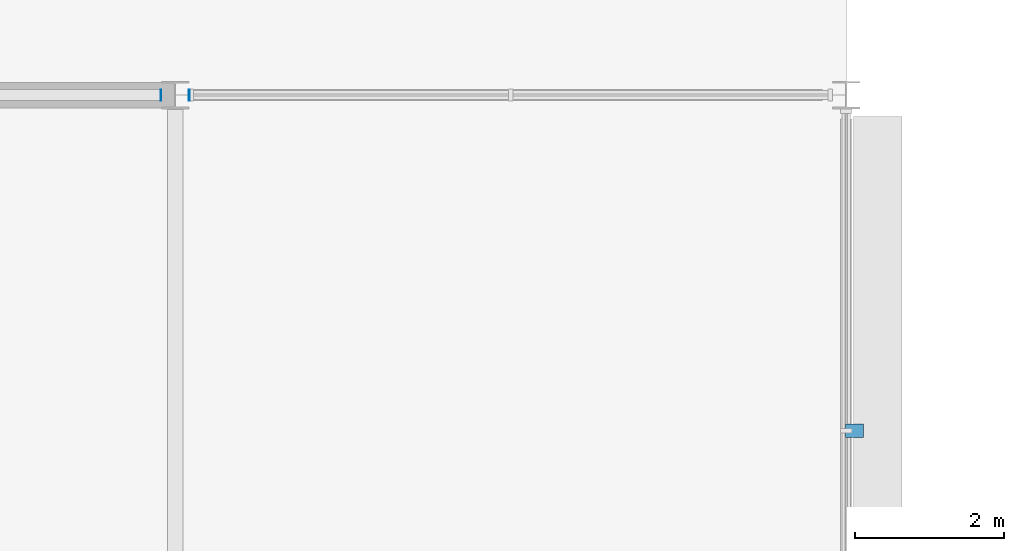
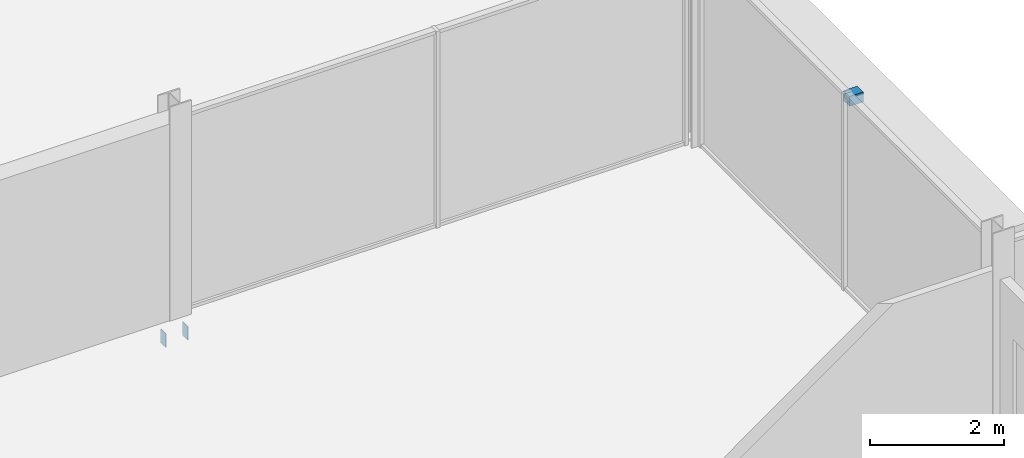
# One storey, part 81 of 105: 3 discrete accessories.
"""IFC4 building model written with IfcOpenShell, lengths in metres."""

from ifc_helpers import new_model, si_unit, direction, frame, origin, origin_2d, place, context, subcontext, project, spatial, polyline, rectangle, outline, extrude, material, layer, layer_set, type_object, element, save


model = new_model("IFC4")

# Units and contexts
model_context = context("Model", 3, precision=1e-05, world=origin(), true_north=direction((0.0, 1.0)))
body_context = subcontext(model_context, "Body", "Model", "MODEL_VIEW")
ifc_project = project(units=[si_unit("LENGTHUNIT", "METRE"), si_unit("AREAUNIT", "SQUARE_METRE"), si_unit("VOLUMEUNIT", "CUBIC_METRE"), si_unit("PLANEANGLEUNIT", "RADIAN"), si_unit("MASSUNIT", "GRAM", prefix="KILO")], contexts=[model_context])

# Site, building, storey
site_placement = place(None, origin())
site = spatial("IfcSite", under=ifc_project, at=site_placement, CompositionType="ELEMENT")
building_placement = place(site_placement, origin())
building = spatial("IfcBuilding", under=site, at=building_placement, Name="Kisiwana Market Hall", CompositionType="ELEMENT")
storey_placement = place(building_placement, frame((0.0, 0.0, 21.60009765625)))
storey = spatial("IfcBuildingStorey", under=building, at=storey_placement, Name="L04", CompositionType="ELEMENT", Elevation=21.60009765625)

# Discrete accessories
ifc_material_1 = material(Name="Steel S355", Category="steel")
discrete_accessory_type_1 = type_object("IfcDiscreteAccessoryType", Name="ACC-BRACKET-STL", PredefinedType="BRACKET", material=ifc_material_1)
discrete_accessory_1_placement = place(storey_placement, frame((45.110107421875, 106.5, 3.375), z_axis=(0.0, 0.0, 1.0), x_axis=(0.0, 1.0, 0.0)))
element("IfcDiscreteAccessory", 1, at=discrete_accessory_1_placement, inside=storey, type_object=discrete_accessory_type_1, Name="Sunshade steel bracket BRK-070", PredefinedType="BRACKET", context=body_context, shape_type="SweptSolid", body=[
    extrude(rectangle(XDim=0.179931640625, YDim=0.239990234375, at=origin_2d()), origin(), (0.0, 0.0, 1.0), 0.179931640625),
])
ifc_material_2 = material(Name="Steel S355", Category="steel")
ifc_layer = layer(ifc_material_2, 0.011962890625)
ifc_layer_set = layer_set([ifc_layer], Name="ACC-ENDCAP-STL")
discrete_accessory_type_2 = type_object("IfcDiscreteAccessoryType", Name="ACC-ENDCAP-STL", PredefinedType="USERDEFINED", material=ifc_layer_set)
discrete_accessory_2_placement = place(storey_placement, frame((0.0, 0.0, -0.5419921875)))
element("IfcDiscreteAccessory", 2, at=discrete_accessory_2_placement, inside=storey, type_object=discrete_accessory_type_2, Name="End cap plate EC-0060", ObjectType="End cap plate", PredefinedType="USERDEFINED", context=body_context, shape_type="SweptSolid", body=[
    extrude(outline(polyline([(35.804443359375, 110.925048828125), (35.81640625, 110.925048828125), (35.81640625, 111.074951171875), (35.804443359375, 111.074951171875), (35.804443359375, 110.925048828125)])), origin(), (0.0, 0.0, 1.0), 0.25),
])
discrete_accessory_3_placement = place(storey_placement, frame((0.0, 0.0, -0.5419921875)))
element("IfcDiscreteAccessory", 3, at=discrete_accessory_3_placement, inside=storey, type_object=discrete_accessory_type_2, Name="End cap plate EC-0062", ObjectType="End cap plate", PredefinedType="USERDEFINED", context=body_context, shape_type="SweptSolid", body=[
    extrude(outline(polyline([(36.195556640625, 110.925048828125), (36.195556640625, 111.074951171875), (36.18359375, 111.074951171875), (36.18359375, 110.925048828125), (36.195556640625, 110.925048828125)])), origin(), (0.0, 0.0, 1.0), 0.25),
])

save(model, "model.ifc")
